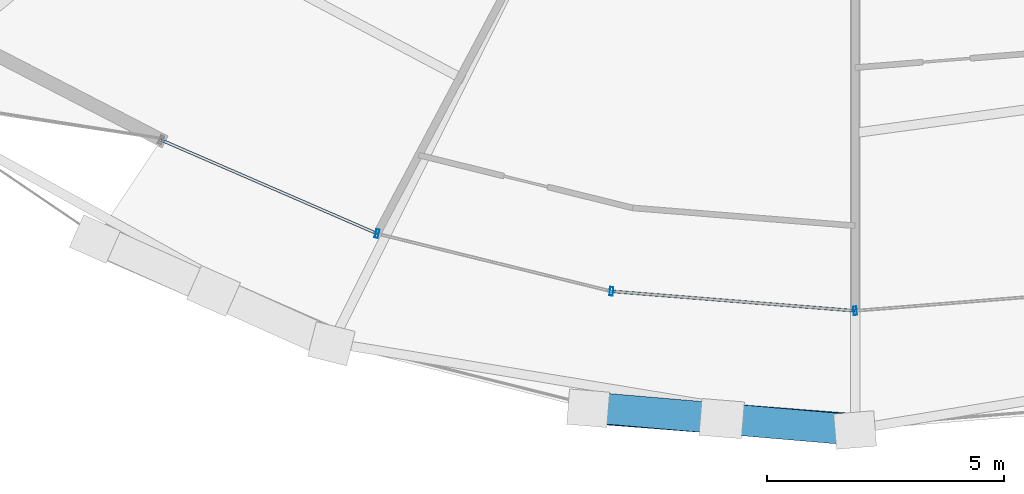
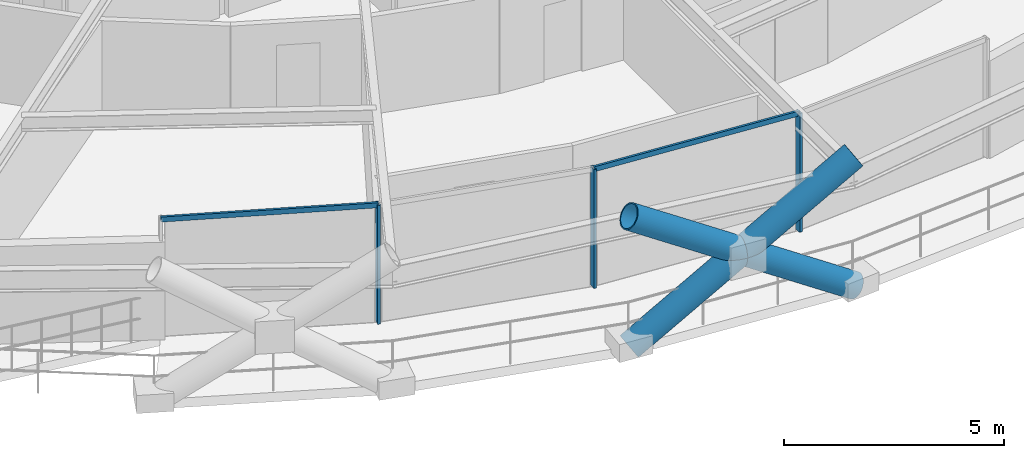
# One storey, part 3 of 21: 8 members, 1 element without a shape of its own.
"""IFC4 building model written with IfcOpenShell, lengths in metres."""

from ifc_helpers import new_model, si_unit, direction, frame, origin, origin_2d, place, context, subcontext, project, spatial, hollow_rectangle, hollow_circle, extrude, material, layer, layer_set, material_profile, profile_set, type_object, element, aggregate, save


model = new_model("IFC4")

# Units and contexts
model_context = context("Model", 3, precision=1e-05, world=origin(), true_north=direction((0.0, 1.0)))
body_context = subcontext(model_context, "Body", "Model", "MODEL_VIEW")
ifc_project = project(units=[si_unit("LENGTHUNIT", "METRE"), si_unit("AREAUNIT", "SQUARE_METRE"), si_unit("VOLUMEUNIT", "CUBIC_METRE"), si_unit("PLANEANGLEUNIT", "RADIAN"), si_unit("MASSUNIT", "GRAM", prefix="KILO")], contexts=[model_context])

# Site, building, storey
site_placement = place(None, origin())
site = spatial("IfcSite", under=ifc_project, at=site_placement, CompositionType="ELEMENT")
building_placement = place(site_placement, origin())
building = spatial("IfcBuilding", under=site, at=building_placement, Name="Veldorina Hangang Commons", CompositionType="ELEMENT")
storey_placement = place(building_placement, frame((0.0, 0.0, 91.60009765625)))
storey = spatial("IfcBuildingStorey", under=building, at=storey_placement, Name="L23", CompositionType="ELEMENT", Elevation=91.60009765625)

# Curtain wall, members
ifc_material_1 = material(Name="Glass Low-E Triple IGU", Category="glass")
ifc_layer = layer(ifc_material_1, 0.179931640625)
ifc_layer_set = layer_set([ifc_layer], Name="Glass Low-E Triple IGU")
curtain_wall_type = type_object("IfcCurtainWallType", Name="CW-SYS-Z1", PredefinedType="NOTDEFINED", material=ifc_layer_set)
curtain_wall_placement = place(storey_placement, origin())
curtain_wall = element("IfcCurtainWall", 1, at=curtain_wall_placement, inside=storey, type_object=curtain_wall_type, Name="L23 unitised curtain wall CW-L23-R1", PredefinedType="NOTDEFINED")
ifc_material_2 = material(Name="Aluminium Anodized AA6063-T6", Category="aluminium")
ifc_material_profile_1 = material_profile(ifc_material_2, hollow_rectangle(XDim=0.070068359375, YDim=0.179931640625, WallThickness=0.00390625, at=origin_2d()), Name="ALU-RHS-180x70x4")
ifc_profile_set_1 = profile_set([ifc_material_profile_1], Name="Aluminium Anodized AA6063-T6")
member_type_1 = type_object("IfcMemberType", Name="CW-MUL-180", PredefinedType="MULLION", material=ifc_profile_set_1)
member_1_placement = place(storey_placement, frame((21.896484375, 4.205810546875, 0.0), z_axis=(0.0, 0.0, 1.0), x_axis=(0.971013422889, -0.239024962233, 0.0)))
member_1 = element("IfcMember", 2, at=member_1_placement, type_object=member_type_1, Name="CW-L23-R1 vertical mullion 2", PredefinedType="MULLION", context=body_context, shape_type="SweptSolid", body=[
    extrude(hollow_rectangle(XDim=0.070068359375, YDim=0.179931640625, WallThickness=0.00390625, at=origin_2d()), origin(), (0.0, 0.0, 1.0), 3.2998046875),
])
member_2_placement = place(storey_placement, frame((26.849365234375, 2.98681640625, 0.0), z_axis=(0.0, 0.0, 1.0), x_axis=(0.996820733877, -0.079677001159, 0.0)))
member_2 = element("IfcMember", 3, at=member_2_placement, type_object=member_type_1, Name="CW-L23-R1 vertical mullion 3", PredefinedType="MULLION", context=body_context, shape_type="SweptSolid", body=[
    extrude(hollow_rectangle(XDim=0.070068359375, YDim=0.179931640625, WallThickness=0.00390625, at=origin_2d()), origin(), (0.0, 0.0, 1.0), 3.2998046875),
])
member_3_placement = place(storey_placement, frame((32.0, 2.574951171875, 0.0), z_axis=(0.0, 0.0, 1.0), x_axis=(0.996820733877, 0.079677001159, 0.0)))
member_3 = element("IfcMember", 4, at=member_3_placement, type_object=member_type_1, Name="CW-L23-R1 vertical mullion 4", PredefinedType="MULLION", context=body_context, shape_type="SweptSolid", body=[
    extrude(hollow_rectangle(XDim=0.070068359375, YDim=0.179931640625, WallThickness=0.00390625, at=origin_2d()), origin(), (0.0, 0.0, 1.0), 3.2998046875),
])
ifc_material_profile_2 = material_profile(ifc_material_2, hollow_rectangle(XDim=0.06005859375, YDim=0.139892578125, WallThickness=0.00341796875, at=origin_2d()), Name="ALU-RHS-140x60x3.5")
ifc_profile_set_2 = profile_set([ifc_material_profile_2], Name="Aluminium Anodized AA6063-T6")
member_type_2 = type_object("IfcMemberType", Name="CW-TRN-140", PredefinedType="USERDEFINED", material=ifc_profile_set_2)
member_4_placement = place(storey_placement, frame((17.33203125, 6.185791015625, 3.260009765625), z_axis=(0.917405183636, -0.397954430856, 0.0), x_axis=(0.397954430856, 0.917405183636, 0.0)))
member_4 = element("IfcMember", 5, at=member_4_placement, type_object=member_type_2, Name="CW-L23-R1 facet 1 transom 1", ObjectType="TRANSOM", PredefinedType="USERDEFINED", context=body_context, shape_type="SweptSolid", body=[
    extrude(hollow_rectangle(XDim=0.06005859375, YDim=0.139892578125, WallThickness=0.00341796875, at=origin_2d()), origin(), (0.0, 0.0, 1.0), 4.975341796875),
])
member_5_placement = place(storey_placement, frame((26.849365234375, 2.98681640625, 3.260009765625), z_axis=(0.996818132385, -0.079709541135, 0.0), x_axis=(0.079709541135, 0.996818132385, 0.0)))
member_5 = element("IfcMember", 6, at=member_5_placement, type_object=member_type_2, Name="CW-L23-R1 facet 3 transom 1", ObjectType="TRANSOM", PredefinedType="USERDEFINED", context=body_context, shape_type="SweptSolid", body=[
    extrude(hollow_rectangle(XDim=0.06005859375, YDim=0.139892578125, WallThickness=0.00341796875, at=origin_2d()), origin(), (0.0, 0.0, 1.0), 5.1669921875),
])
aggregate(curtain_wall, [member_1, member_2, member_3, member_4, member_5])

# Members
ifc_material_3 = material(Name="Steel SM460-TMC", Category="steel")
ifc_material_profile_3 = material_profile(ifc_material_3, hollow_circle(Radius=0.324951171875, WallThickness=0.031982421875, at=origin_2d()), Name="CHS-650x32")
ifc_profile_set_3 = profile_set([ifc_material_profile_3], Name="Steel SM460-TMC")
member_type_3 = type_object("IfcMemberType", Name="DG-CHS650", PredefinedType="BRACE", material=ifc_profile_set_3)
member_6_placement = place(storey_placement, frame((26.357666015625, 0.51513671875, 0.0), z_axis=(0.841237700277, -0.065228590667, 0.536716277555), x_axis=(0.077306787907, 0.997007352302, 0.0)))
element("IfcMember", 7, at=member_6_placement, inside=storey, type_object=member_type_3, Name="L23 continuous perimeter diagrid brace 23", PredefinedType="BRACE", context=body_context, shape_type="SweptSolid", body=[
    extrude(hollow_circle(Radius=0.324951171875, WallThickness=0.031982421875, at=origin_2d()), origin(), (0.0, 0.0, 1.0), 6.707275390625),
])
member_7_placement = place(storey_placement, frame((32.0, 0.054931640625, 0.0), z_axis=(-0.840597971227, 0.071911922727, 0.536864718657), x_axis=(-0.085237194543, -0.996360688037, 0.0)))
element("IfcMember", 8, at=member_7_placement, inside=storey, type_object=member_type_3, Name="L23 split perimeter diagrid lower brace 24", PredefinedType="BRACE", context=body_context, shape_type="SweptSolid", body=[
    extrude(hollow_circle(Radius=0.324951171875, WallThickness=0.031982421875, at=origin_2d()), origin(), (0.0, 0.0, 1.0), 3.354248046875),
])
member_8_placement = place(storey_placement, frame((29.180419921875, 0.296142578125, 1.80078125), z_axis=(-0.840550231591, 0.071988872123, 0.536929148457), x_axis=(-0.085332549898, -0.99635252593, 0.0)))
element("IfcMember", 9, at=member_8_placement, inside=storey, type_object=member_type_3, Name="L23 split perimeter diagrid upper brace 24", PredefinedType="BRACE", context=body_context, shape_type="SweptSolid", body=[
    extrude(hollow_circle(Radius=0.324951171875, WallThickness=0.031982421875, at=origin_2d()), origin(), (0.0, 0.0, 1.0), 3.3505859375),
])

save(model, "model.ifc")
